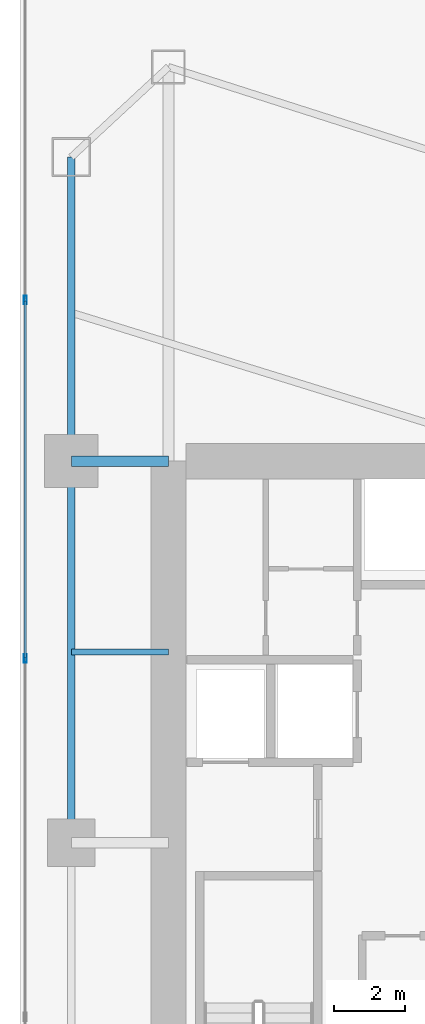
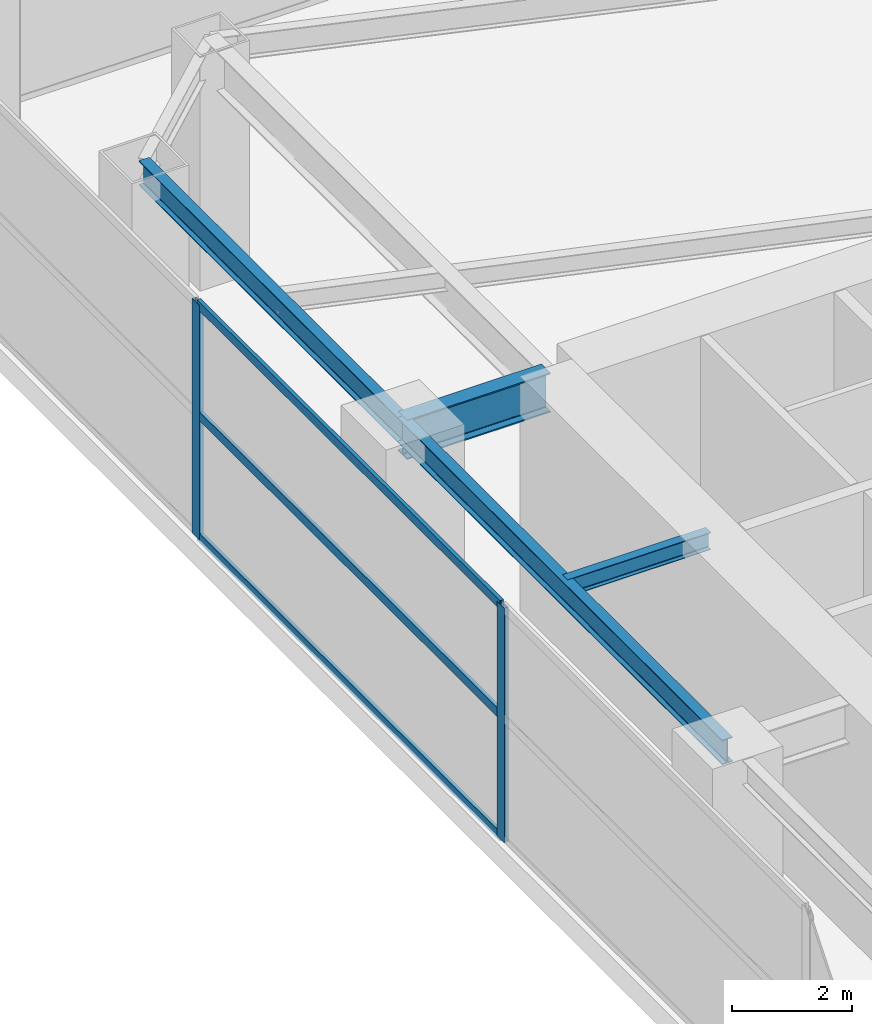
# One storey, part 14 of 36: 5 members, 4 beams, 1 element without a shape of its own.
"""IFC4 building model written with IfcOpenShell, lengths in metres."""

import ifcopenshell
import ifcopenshell.guid

model = None  # the IFC model being written
_history = None  # IfcOwnerHistory: only IFC2X3 demands one
_inside = {}  # id of a spatial element -> (the spatial element, [elements in it])
_under = {}  # id of a project, library or spatial element -> (it, [spatial elements below it])
_declared = {}  # id of a project -> (the project, [libraries it declares])
_typed = {}  # id of a type object -> (the type object, [elements of that type])
_made_of = {}  # id of a material, layer set ... -> (it, [elements and type objects made of it])


def new_model(schema):
    """Start an empty IFC model of exactly this schema.

    Asked for "IFC4X3", IfcOpenShell would pick the latest addendum, in which some entities
    have other attributes; the version numbers below select the first issue.
    IFC2X3 requires an IfcOwnerHistory on every rooted entity: one is made here for all.
    """
    global model, _history
    if schema == "IFC4X3":
        model = ifcopenshell.file(schema_version=(4, 3, 0, 0))
    else:
        model = ifcopenshell.file(schema=schema)
    _inside.clear()
    _under.clear()
    _declared.clear()
    _typed.clear()
    _made_of.clear()
    _history = None
    if model.schema == "IFC2X3":
        org = make("IfcOrganization", Name="unknown")
        user = make(
            "IfcPersonAndOrganization",
            ThePerson=make("IfcPerson", FamilyName="unknown"),
            TheOrganization=org,
        )
        app = make(
            "IfcApplication",
            ApplicationDeveloper=org,
            Version="unknown",
            ApplicationFullName="unknown",
            ApplicationIdentifier="unknown",
        )
        _history = make(
            "IfcOwnerHistory",
            OwningUser=user,
            OwningApplication=app,
            ChangeAction="ADDED",
            CreationDate=0,
        )
    return model


def make(cls, **values):
    """One entity of the class cls with the attributes given. An attribute that is None is left unset."""
    return model.create_entity(
        cls, **{name: value for name, value in values.items() if value is not None}
    )


def rooted(cls, **values):
    """An entity with a GlobalId (a new one), such as an element, a storey or a relation."""
    return make(cls, GlobalId=ifcopenshell.guid.new(), OwnerHistory=_history, **values)


def si_unit(unit_type, name, prefix=None):
    """IfcSIUnit, for example si_unit("LENGTHUNIT", "METRE", prefix="MILLI")."""
    return make("IfcSIUnit", UnitType=unit_type, Prefix=prefix, Name=name)


def assignment(units):
    """IfcUnitAssignment: the units of a project."""
    return None if units is None else make("IfcUnitAssignment", Units=units)


def point(xyz):
    """IfcCartesianPoint."""
    return None if xyz is None else make("IfcCartesianPoint", Coordinates=xyz)


def direction(xyz):
    """IfcDirection."""
    return None if xyz is None else make("IfcDirection", DirectionRatios=xyz)


def frame(location, z_axis=None, x_axis=None):
    """IfcAxis2Placement3D, a coordinate frame: its origin and axes. An axis left out is left unset."""
    return make(
        "IfcAxis2Placement3D",
        Location=point(location),
        Axis=direction(z_axis),
        RefDirection=direction(x_axis),
    )


def frame_2d(location, x_axis=None):
    """IfcAxis2Placement2D, a coordinate frame in the plane: its origin and x axis."""
    return make(
        "IfcAxis2Placement2D", Location=point(location), RefDirection=direction(x_axis)
    )


def origin():
    """The frame at (0, 0, 0) with its axes left unset."""
    return frame((0.0, 0.0, 0.0))


def origin_2d():
    """The frame at (0, 0) in the plane with its x axis left unset."""
    return frame_2d((0.0, 0.0))


def place(relative_to, where):
    """IfcLocalPlacement: puts the frame where relative to a parent placement (None: the world)."""
    return make(
        "IfcLocalPlacement", PlacementRelTo=relative_to, RelativePlacement=where
    )


def context(
    kind, dimensions, precision=None, world=None, true_north=None, identifier=None
):
    """IfcGeometricRepresentationContext, for example the 3D "Model" context."""
    return make(
        "IfcGeometricRepresentationContext",
        ContextIdentifier=identifier,
        ContextType=kind,
        CoordinateSpaceDimension=dimensions,
        Precision=precision,
        WorldCoordinateSystem=world,
        TrueNorth=true_north,
    )


def subcontext(parent, identifier, kind, view, scale=None):
    """IfcGeometricRepresentationSubContext, for example "Body" below "Model"."""
    return make(
        "IfcGeometricRepresentationSubContext",
        ContextIdentifier=identifier,
        ContextType=kind,
        ParentContext=parent,
        TargetScale=scale,
        TargetView=view,
    )


def project(units=None, contexts=None):
    """IfcProject with its units and contexts."""
    return rooted(
        "IfcProject",
        Name="project",
        RepresentationContexts=contexts,
        UnitsInContext=assignment(units),
    )


def spatial(cls, under=None, at=None, **own):
    """A site, building, storey or space (cls), placed at a placement, below another one or the project."""
    s = rooted(cls, ObjectPlacement=at, **own)
    if under is not None:
        _under.setdefault(under.id(), (under, []))[1].append(s)
    return s


def profile(cls, at=None, kind="AREA", **sizes):
    """A parametric profile (cls). Its sizes go by their IFC names, for example OverallWidth=200.0."""
    return make(cls, ProfileType=kind, Position=at, **sizes)


def hollow_rectangle(**sizes):
    """IfcRectangleHollowProfileDef."""
    return profile("IfcRectangleHollowProfileDef", **sizes)


def i_section(**sizes):
    """IfcIShapeProfileDef."""
    return profile("IfcIShapeProfileDef", **sizes)


def extrude(swept, where, along, depth):
    """IfcExtrudedAreaSolid: the profile swept, set in the frame where, extruded along a direction by depth."""
    return make(
        "IfcExtrudedAreaSolid",
        SweptArea=swept,
        Position=where,
        ExtrudedDirection=direction(along),
        Depth=depth,
    )


def shape(context_of_items, identifier, shape_type, items):
    """IfcShapeRepresentation: the items that make up one representation, for example the "Body"."""
    return make(
        "IfcShapeRepresentation",
        ContextOfItems=context_of_items,
        RepresentationIdentifier=identifier,
        RepresentationType=shape_type,
        Items=items,
    )


def material(Name=None, Category=None):
    """IfcMaterial."""
    return make("IfcMaterial", Name=Name, Category=Category)


def layer(
    of_material, thickness, ventilated=None, Name=None, Category=None, Priority=None
):
    """IfcMaterialLayer: one layer of a wall or slab, of a material (None: an air gap)."""
    return make(
        "IfcMaterialLayer",
        Material=of_material,
        LayerThickness=thickness,
        IsVentilated=ventilated,
        Name=Name,
        Category=Category,
        Priority=Priority,
    )


def layer_set(layers, Name=None):
    """IfcMaterialLayerSet."""
    return make("IfcMaterialLayerSet", MaterialLayers=layers, LayerSetName=Name)


def material_profile(
    of_material, cross_section, Name=None, Category=None, Priority=None
):
    """IfcMaterialProfile: a cross section and its material."""
    return make(
        "IfcMaterialProfile",
        Name=Name,
        Material=of_material,
        Profile=cross_section,
        Priority=Priority,
        Category=Category,
    )


def profile_set(profiles, Name=None, composite=None):
    """IfcMaterialProfileSet."""
    return make(
        "IfcMaterialProfileSet",
        Name=Name,
        MaterialProfiles=profiles,
        CompositeProfile=composite,
    )


def made_of(thing, what):
    """Note that an element or type object is made of a material, layer set ...; save() writes the relation."""
    if what is not None:
        _made_of.setdefault(what.id(), (what, []))[1].append(thing)
    return thing


def type_object(cls, material=None, **own):
    """A type object (cls), such as IfcWallType, which elements share."""
    return made_of(rooted(cls, **own), material)


def element(
    cls,
    number,
    at=None,
    inside=None,
    cuts=None,
    type_object=None,
    material=None,
    context=None,
    identifier="Body",
    shape_type=None,
    held_by="IfcProductDefinitionShape",
    body=None,
    shapes=None,
    **own,
):
    """One element of the class cls, such as IfcWall. Its Tag is "e" and its number.

    at: its placement. inside: the storey or other place that contains it. cuts: it is an
    opening in that element (IfcRelVoidsElement). A single representation is given by context,
    identifier, shape_type and body (its items); several are given by shapes. held_by: the class
    of the entity that holds the representations. save() writes the other relations.
    """
    e = rooted(cls, Tag="e%d" % number, ObjectPlacement=at, **own)
    if body is not None:
        shapes = [shape(context, identifier, shape_type, body)]
    if shapes is not None:
        e.Representation = make(held_by, Representations=shapes)
    if inside is not None:
        _inside.setdefault(inside.id(), (inside, []))[1].append(e)
    if cuts is not None:
        rooted(
            "IfcRelVoidsElement", RelatingBuildingElement=cuts, RelatedOpeningElement=e
        )
    if type_object is not None:
        _typed.setdefault(type_object.id(), (type_object, []))[1].append(e)
    return made_of(e, material)


def aggregate(whole, parts):
    """IfcRelAggregates: a whole, such as a stair, and the parts it consists of."""
    return rooted("IfcRelAggregates", RelatingObject=whole, RelatedObjects=parts)


def save(model, path):
    """Write the relations noted so far, then the file.

    IfcRelAggregates (storeys below a building ...), IfcRelContainedInSpatialStructure (elements
    in a storey), IfcRelDefinesByType, IfcRelAssociatesMaterial and IfcRelDeclares: one each for
    every whole, place, type object, material and project.
    """
    for whole, parts in _under.values():
        aggregate(whole, parts)
    for where, things in _inside.values():
        rooted(
            "IfcRelContainedInSpatialStructure",
            RelatedElements=things,
            RelatingStructure=where,
        )
    for kind, things in _typed.values():
        rooted("IfcRelDefinesByType", RelatedObjects=things, RelatingType=kind)
    for what, things in _made_of.values():
        rooted("IfcRelAssociatesMaterial", RelatedObjects=things, RelatingMaterial=what)
    for by, libraries in _declared.values():
        rooted("IfcRelDeclares", RelatingContext=by, RelatedDefinitions=libraries)
    model.write(path)


model = new_model("IFC4")

# Units and contexts
model_context = context("Model", 3, precision=1e-05, world=origin(), true_north=direction((0.0, 1.0)))
body_context = subcontext(model_context, "Body", "Model", "MODEL_VIEW")
ifc_project = project(units=[si_unit("LENGTHUNIT", "METRE"), si_unit("AREAUNIT", "SQUARE_METRE"), si_unit("VOLUMEUNIT", "CUBIC_METRE"), si_unit("PLANEANGLEUNIT", "RADIAN"), si_unit("MASSUNIT", "GRAM", prefix="KILO")], contexts=[model_context])

# Site, building, storey
site_placement = place(None, origin())
site = spatial("IfcSite", under=ifc_project, at=site_placement, CompositionType="ELEMENT")
building_placement = place(site_placement, origin())
building = spatial("IfcBuilding", under=site, at=building_placement, Name="Calvorn Quay Hotel", CompositionType="ELEMENT")
storey_placement = place(building_placement, frame((0.0, 0.0, 22.0)))
storey = spatial("IfcBuildingStorey", under=building, at=storey_placement, Name="L04", CompositionType="ELEMENT", Elevation=22.0)

# Beams
ifc_material_1 = material(Name="Steel Q390GJC", Category="steel")
ifc_material_profile_1 = material_profile(ifc_material_1, i_section(OverallWidth=0.300048828125, OverallDepth=0.800048828125, WebThickness=0.013916015625, FlangeThickness=0.02587890625, FilletRadius=0.02392578125, at=origin_2d()), Name="HN800x300x14x26")
ifc_profile_set_1 = profile_set([ifc_material_profile_1], Name="Steel Q390GJC")
beam_type_1 = type_object("IfcBeamType", Name="BM-GIRD-POD", PredefinedType="BEAM", material=ifc_profile_set_1)
beam_1_placement = place(storey_placement, frame((1.449951171875, 38.39990234375, 4.340087890625), z_axis=(1.0, 0.0, 0.0), x_axis=(0.0, 1.0, 0.0)))
element("IfcBeam", 1, at=beam_1_placement, inside=storey, type_object=beam_type_1, Name="Beam BG-L04-W3", PredefinedType="BEAM", context=body_context, shape_type="SweptSolid", body=[
    extrude(i_section(OverallWidth=0.300048828125, OverallDepth=0.800048828125, WebThickness=0.013916015625, FlangeThickness=0.02587890625, FilletRadius=0.02392578125, at=origin_2d()), origin(), (0.0, 0.0, 1.0), 2.75),
])
ifc_material_2 = material(Name="Steel Q355B", Category="steel")
ifc_material_profile_2 = material_profile(ifc_material_2, i_section(OverallWidth=0.175048828125, OverallDepth=0.35009765625, WebThickness=0.007080078125, FlangeThickness=0.010986328125, FilletRadius=0.013916015625, at=origin_2d()), Name="HN350x175x7x11")
ifc_profile_set_2 = profile_set([ifc_material_profile_2], Name="Steel Q355B")
beam_type_2 = type_object("IfcBeamType", Name="BM-JOIST-SEC", PredefinedType="JOIST", material=ifc_profile_set_2)
beam_2_placement = place(storey_placement, frame((1.449951171875, 33.0, 4.56494140625), z_axis=(1.0, 0.0, 0.0), x_axis=(0.0, 1.0, 0.0)))
element("IfcBeam", 2, at=beam_2_placement, inside=storey, type_object=beam_type_2, Name="Beam BJ-L04-W4", PredefinedType="JOIST", context=body_context, shape_type="SweptSolid", body=[
    extrude(i_section(OverallWidth=0.175048828125, OverallDepth=0.35009765625, WebThickness=0.007080078125, FlangeThickness=0.010986328125, FilletRadius=0.013916015625, at=origin_2d()), origin(), (0.0, 0.0, 1.0), 2.75),
])
ifc_material_3 = material(Name="Steel Q355B", Category="steel")
ifc_material_profile_3 = material_profile(ifc_material_3, i_section(OverallWidth=0.199951171875, OverallDepth=0.5, WebThickness=0.010009765625, FlangeThickness=0.01611328125, FilletRadius=0.01611328125, at=origin_2d()), Name="HN500x200x10x16")
ifc_profile_set_3 = profile_set([ifc_material_profile_3], Name="Steel Q355B")
beam_type_3 = type_object("IfcBeamType", Name="BM-SPANDREL-Z1", PredefinedType="SPANDREL", material=ifc_profile_set_3)
beam_3_placement = place(storey_placement, frame((1.449951171875, 27.60009765625, 4.489990234375), z_axis=(0.0, 1.0, 0.0), x_axis=(-1.0, 0.0, 0.0)))
element("IfcBeam", 3, at=beam_3_placement, inside=storey, type_object=beam_type_3, Name="Beam BSP-L04-W3", PredefinedType="SPANDREL", context=body_context, shape_type="SweptSolid", body=[
    extrude(i_section(OverallWidth=0.199951171875, OverallDepth=0.5, WebThickness=0.010009765625, FlangeThickness=0.01611328125, FilletRadius=0.01611328125, at=origin_2d()), origin(), (0.0, 0.0, 1.0), 10.7998046875),
])
beam_4_placement = place(storey_placement, frame((1.449951171875, 38.39990234375, 4.489990234375), z_axis=(0.0, 1.0, 0.0), x_axis=(-1.0, 0.0, 0.0)))
element("IfcBeam", 4, at=beam_4_placement, inside=storey, type_object=beam_type_3, Name="Beam BSP-L04-W4", PredefinedType="SPANDREL", context=body_context, shape_type="SweptSolid", body=[
    extrude(i_section(OverallWidth=0.199951171875, OverallDepth=0.5, WebThickness=0.010009765625, FlangeThickness=0.01611328125, FilletRadius=0.01611328125, at=origin_2d()), origin(), (0.0, 0.0, 1.0), 8.60009765625),
])

# Curtain wall, members
ifc_material_4 = material(Name="Pale Anodised Aluminium and Low-E Glass", Category="aluminium")
ifc_layer = layer(ifc_material_4, 0.219970703125)
ifc_layer_set = layer_set([ifc_layer], Name="CW-SYS-POD")
curtain_wall_type = type_object("IfcCurtainWallType", Name="CW-SYS-POD", PredefinedType="NOTDEFINED", material=ifc_layer_set)
curtain_wall_placement = place(storey_placement, origin())
curtain_wall = element("IfcCurtainWall", 5, at=curtain_wall_placement, inside=storey, type_object=curtain_wall_type, Name="Podium Curtain Wall L04-W1", PredefinedType="NOTDEFINED")
ifc_material_5 = material(Name="Pale Anodised Aluminium 6063-T6", Category="aluminium")
ifc_material_profile_4 = material_profile(ifc_material_5, hollow_rectangle(XDim=0.080078125, YDim=0.239990234375, WallThickness=0.0048828125, at=origin_2d()), Name="ALU-M240x80x5")
ifc_profile_set_4 = profile_set([ifc_material_profile_4], Name="Pale Anodised Aluminium 6063-T6")
member_type_1 = type_object("IfcMemberType", Name="CW-SYS-POD-MUL", PredefinedType="MULLION", material=ifc_profile_set_4)
member_1_placement = place(storey_placement, frame((0.14990234375, 32.820068359375, 0.0), z_axis=(0.0, 0.0, 1.0), x_axis=(-1.0, 0.0, 0.0)))
member_1 = element("IfcMember", 6, at=member_1_placement, type_object=member_type_1, Name="CW-L04-W1 mullion 4", PredefinedType="MULLION", context=body_context, shape_type="SweptSolid", body=[
    extrude(hollow_rectangle(XDim=0.080078125, YDim=0.239990234375, WallThickness=0.0048828125, at=origin_2d()), origin(), (0.0, 0.0, 1.0), 4.760009765625),
])
member_2_placement = place(storey_placement, frame((0.14990234375, 42.9599609375, 0.0), z_axis=(0.0, 0.0, 1.0), x_axis=(-1.0, 0.0, 0.0)))
member_2 = element("IfcMember", 7, at=member_2_placement, type_object=member_type_1, Name="CW-L04-W1 mullion 5", PredefinedType="MULLION", context=body_context, shape_type="SweptSolid", body=[
    extrude(hollow_rectangle(XDim=0.080078125, YDim=0.239990234375, WallThickness=0.0048828125, at=origin_2d()), origin(), (0.0, 0.0, 1.0), 4.760009765625),
])
ifc_material_6 = material(Name="Pale Anodised Aluminium 6063-T6", Category="aluminium")
ifc_material_profile_5 = material_profile(ifc_material_6, hollow_rectangle(XDim=0.070068359375, YDim=0.179931640625, WallThickness=0.00390625, at=origin_2d()), Name="ALU-T180x70x4")
ifc_profile_set_5 = profile_set([ifc_material_profile_5], Name="Pale Anodised Aluminium 6063-T6")
member_type_2 = type_object("IfcMemberType", Name="CW-SYS-POD-TRN", PredefinedType="USERDEFINED", material=ifc_profile_set_5)
member_3_placement = place(storey_placement, frame((0.14990234375, 32.85009765625, 0.030029296875), z_axis=(0.0, 1.0, 0.0), x_axis=(-1.0, 0.0, 0.0)))
member_3 = element("IfcMember", 8, at=member_3_placement, type_object=member_type_2, Name="CW-L04-W1 transom 4.1", ObjectType="TRANSOM", PredefinedType="USERDEFINED", context=body_context, shape_type="SweptSolid", body=[
    extrude(hollow_rectangle(XDim=0.070068359375, YDim=0.179931640625, WallThickness=0.00390625, at=origin_2d()), origin(), (0.0, 0.0, 1.0), 10.079833984375),
])
member_4_placement = place(storey_placement, frame((0.14990234375, 32.85009765625, 2.5), z_axis=(0.0, 1.0, 0.0), x_axis=(-1.0, 0.0, 0.0)))
member_4 = element("IfcMember", 9, at=member_4_placement, type_object=member_type_2, Name="CW-L04-W1 transom 4.2", ObjectType="TRANSOM", PredefinedType="USERDEFINED", context=body_context, shape_type="SweptSolid", body=[
    extrude(hollow_rectangle(XDim=0.070068359375, YDim=0.179931640625, WallThickness=0.00390625, at=origin_2d()), origin(), (0.0, 0.0, 1.0), 10.079833984375),
])
member_5_placement = place(storey_placement, frame((0.14990234375, 32.85009765625, 4.72998046875), z_axis=(0.0, 1.0, 0.0), x_axis=(-1.0, 0.0, 0.0)))
member_5 = element("IfcMember", 10, at=member_5_placement, type_object=member_type_2, Name="CW-L04-W1 transom 4.3", ObjectType="TRANSOM", PredefinedType="USERDEFINED", context=body_context, shape_type="SweptSolid", body=[
    extrude(hollow_rectangle(XDim=0.070068359375, YDim=0.179931640625, WallThickness=0.00390625, at=origin_2d()), origin(), (0.0, 0.0, 1.0), 10.079833984375),
])
aggregate(curtain_wall, [member_1, member_2, member_3, member_4, member_5])

save(model, "model.ifc")
